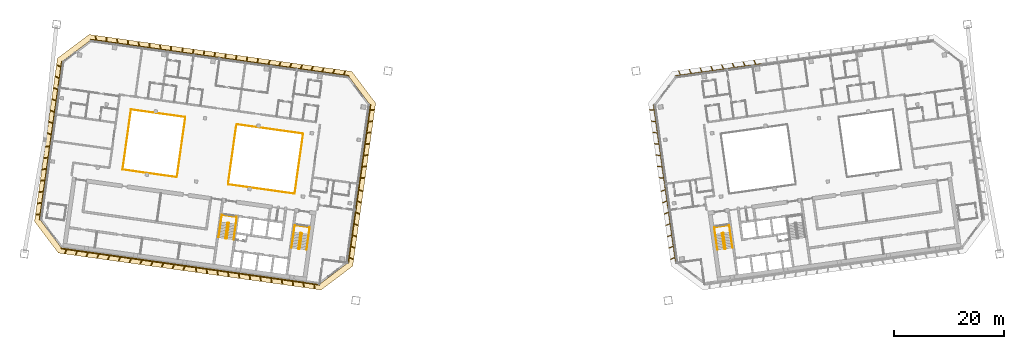
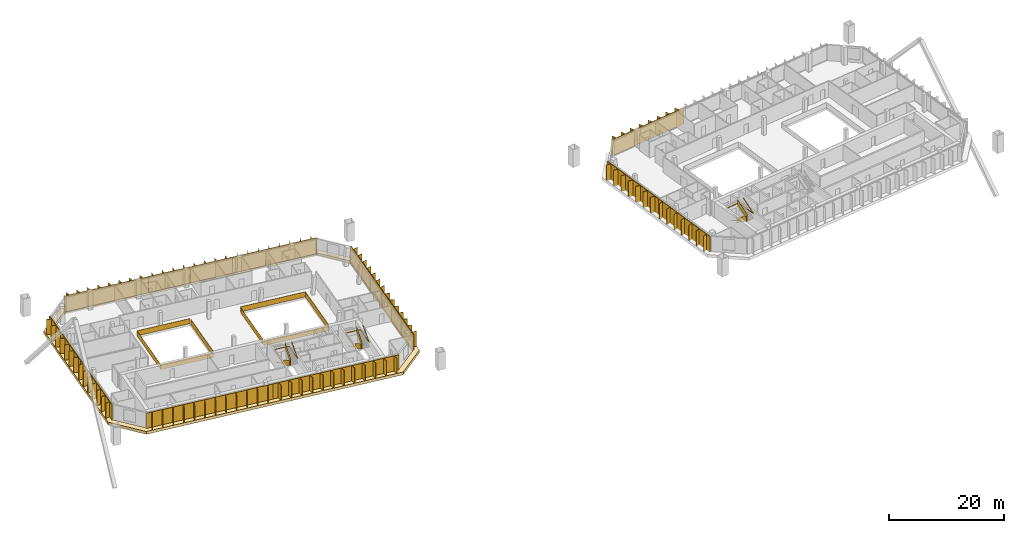
# One storey, part 22 of 23: 12 shading devices, 10 railings, 1 covering.
"""IFC4 building model written with IfcOpenShell, lengths in metres."""

from ifc_helpers import new_model, si_unit, direction, frame, origin, origin_2d, place, context, subcontext, project, spatial, polyline, rectangle, outline, extrude, material, layer, layer_set, type_object, element, save


model = new_model("IFC4")

# Units and contexts
model_context = context("Model", 3, precision=1e-05, world=origin(), true_north=direction((0.0, 1.0)))
body_context = subcontext(model_context, "Body", "Model", "MODEL_VIEW")
ifc_project = project(units=[si_unit("LENGTHUNIT", "METRE"), si_unit("AREAUNIT", "SQUARE_METRE"), si_unit("VOLUMEUNIT", "CUBIC_METRE"), si_unit("PLANEANGLEUNIT", "RADIAN"), si_unit("MASSUNIT", "GRAM", prefix="KILO")], contexts=[model_context])

# Site, building, storey
site_placement = place(None, origin())
site = spatial("IfcSite", under=ifc_project, at=site_placement, CompositionType="ELEMENT")
building_placement = place(site_placement, origin())
building = spatial("IfcBuilding", under=site, at=building_placement, Name="Mirante Cascada Hotel Towers", CompositionType="ELEMENT")
storey_placement = place(building_placement, frame((0.0, 0.0, 195.4)))
storey = spatial("IfcBuildingStorey", under=building, at=storey_placement, Name="L46", CompositionType="ELEMENT", Elevation=195.4)

# Railings
ifc_material_1 = material(Name="Toughened glass with stainless steel handrail", Category="steel")
railing_type_1 = type_object("IfcRailingType", Name="Atrium guard 1100 glass balustrade", PredefinedType="GUARDRAIL", material=ifc_material_1)
railing_1_placement = place(storey_placement, frame((-49.889, 8.4699, 0.0)))
element("IfcRailing", 1, at=railing_1_placement, inside=storey, type_object=railing_type_1, Name="GUARD 1-L46-1", PredefinedType="GUARDRAIL", context=body_context, shape_type="SweptSolid", body=[
    extrude(rectangle(XDim=0.048, YDim=0.048, at=origin_2d()), frame((0.0, 0.0, 1.076), z_axis=(0.9902682, -0.1391722, 0.0), x_axis=(0.1391722, 0.9902682, 0.0)), (0.0, 0.0, 1.0), 12.1526),
    extrude(rectangle(XDim=0.02, YDim=1.052, at=origin_2d()), frame((0.0, 0.0, 0.526), z_axis=(0.9902682, -0.1391722, 0.0), x_axis=(0.1391722, 0.9902682, 0.0)), (0.0, 0.0, 1.0), 12.1526),
    extrude(rectangle(XDim=0.048, YDim=0.048, at=origin_2d()), frame((12.0343, -1.6913, 1.076), z_axis=(-0.1391721, -0.9902682, 0.0), x_axis=(0.9902682, -0.1391721, 0.0)), (0.0, 0.0, 1.0), 11.0001),
    extrude(rectangle(XDim=0.02, YDim=1.052, at=origin_2d()), frame((12.0343, -1.6913, 0.526), z_axis=(-0.1391721, -0.9902682, 0.0), x_axis=(0.9902682, -0.1391721, 0.0)), (0.0, 0.0, 1.0), 11.0001),
    extrude(rectangle(XDim=0.048, YDim=0.048, at=origin_2d()), frame((10.5034, -12.5843, 1.076), z_axis=(-0.9902671, 0.1391803, 0.0), x_axis=(-0.1391803, -0.9902671, 0.0)), (0.0, 0.0, 1.0), 12.1526),
    extrude(rectangle(XDim=0.02, YDim=1.052, at=origin_2d()), frame((10.5034, -12.5843, 0.526), z_axis=(-0.9902671, 0.1391803, 0.0), x_axis=(-0.1391803, -0.9902671, 0.0)), (0.0, 0.0, 1.0), 12.1526),
])
railing_2_placement = place(storey_placement, frame((-60.7771, -1.108, 0.0)))
element("IfcRailing", 2, at=railing_2_placement, inside=storey, type_object=railing_type_1, Name="GUARD 1-L46-2", PredefinedType="GUARDRAIL", context=body_context, shape_type="SweptSolid", body=[
    extrude(rectangle(XDim=0.048, YDim=0.048, at=origin_2d()), frame((0.0, 0.0, 1.076), z_axis=(-0.9902676, 0.1391763, 0.0), x_axis=(-0.1391763, -0.9902676, 0.0)), (0.0, 0.0, 1.0), 9.8982),
    extrude(rectangle(XDim=0.02, YDim=1.052, at=origin_2d()), frame((0.0, 0.0, 0.526), z_axis=(-0.9902676, 0.1391763, 0.0), x_axis=(-0.1391763, -0.9902676, 0.0)), (0.0, 0.0, 1.0), 9.8982),
    extrude(rectangle(XDim=0.048, YDim=0.048, at=origin_2d()), frame((-9.8019, 1.3776, 1.076), z_axis=(0.1391733, 0.990268, 0.0), x_axis=(-0.990268, 0.1391733, 0.0)), (0.0, 0.0, 1.0), 11.0),
    extrude(rectangle(XDim=0.02, YDim=1.052, at=origin_2d()), frame((-9.8019, 1.3776, 0.526), z_axis=(0.1391733, 0.990268, 0.0), x_axis=(-0.990268, 0.1391733, 0.0)), (0.0, 0.0, 1.0), 11.0),
    extrude(rectangle(XDim=0.048, YDim=0.048, at=origin_2d()), frame((-8.271, 12.2705, 1.076), z_axis=(0.990269, -0.1391664, 0.0), x_axis=(0.1391664, 0.990269, 0.0)), (0.0, 0.0, 1.0), 9.8982),
    extrude(rectangle(XDim=0.02, YDim=1.052, at=origin_2d()), frame((-8.271, 12.2705, 0.526), z_axis=(0.990269, -0.1391664, 0.0), x_axis=(0.1391664, 0.990269, 0.0)), (0.0, 0.0, 1.0), 9.8982),
])
railing_3_placement = place(storey_placement, frame((-60.6874, -0.822, 0.0)))
element("IfcRailing", 3, at=railing_3_placement, inside=storey, type_object=railing_type_1, Name="GUARD 1-L46-3", PredefinedType="GUARDRAIL", context=body_context, shape_type="SweptSolid", body=[
    extrude(rectangle(XDim=0.048, YDim=0.048, at=origin_2d()), frame((0.0, 0.0, 1.076), z_axis=(0.1391721, 0.9902682, 0.0), x_axis=(-0.9902682, 0.1391721, 0.0)), (0.0, 0.0, 1.0), 10.4087),
    extrude(rectangle(XDim=0.02, YDim=1.052, at=origin_2d()), frame((0.0, 0.0, 0.526), z_axis=(0.1391721, 0.9902682, 0.0), x_axis=(-0.9902682, 0.1391721, 0.0)), (0.0, 0.0, 1.0), 10.4087),
])
railing_4_placement = place(storey_placement, frame((-49.9787, 8.184, 0.0)))
element("IfcRailing", 4, at=railing_4_placement, inside=storey, type_object=railing_type_1, Name="GUARD 1-L46-4", PredefinedType="GUARDRAIL", context=body_context, shape_type="SweptSolid", body=[
    extrude(rectangle(XDim=0.048, YDim=0.048, at=origin_2d()), frame((0.0, 0.0, 1.076), z_axis=(-0.1391708, -0.9902684, 0.0), x_axis=(0.9902684, -0.1391708, 0.0)), (0.0, 0.0, 1.0), 10.4088),
    extrude(rectangle(XDim=0.02, YDim=1.052, at=origin_2d()), frame((0.0, 0.0, 0.526), z_axis=(-0.1391708, -0.9902684, 0.0), x_axis=(0.9902684, -0.1391708, 0.0)), (0.0, 0.0, 1.0), 10.4088),
])

# Covering
ifc_material_2 = material(Name="Precast concrete C40/50 white", Category="concrete")
ifc_layer = layer(ifc_material_2, 0.6)
ifc_layer_set = layer_set([ifc_layer], Name="Precast concrete SUNSHADE band 1000x600")
covering_type = type_object("IfcCoveringType", Name="Precast concrete SUNSHADE band 1000x600", PredefinedType="CLADDING", material=ifc_layer_set)
covering_placement = place(storey_placement, frame((0.0, 0.0, -0.45)))
element("IfcCovering", 5, at=covering_placement, inside=storey, type_object=covering_type, Name="Precast concrete SUNSHADE band T1 L46", PredefinedType="CLADDING", context=body_context, shape_type="SweptSolid", body=[
    extrude(outline(polyline([(-86.5404, -9.1145), (-82.3891, 20.4236), (-76.645, 24.7521), (-29.0387, 18.0615), (-24.7102, 12.3174), (-28.8615, -17.2208), (-34.6056, -21.5493), (-82.2119, -14.8586), (-86.5404, -9.1145)]), holes=[polyline([(-25.7581, 12.0463), (-29.5881, 17.1288), (-76.374, 23.7042), (-81.4565, 19.8742), (-85.4925, -8.8435), (-81.6626, -13.926), (-34.8766, -20.5014), (-29.7942, -16.6714), (-25.7581, 12.0463)])]), origin(), (0.0, 0.0, 1.0), 0.6),
])

# Railings
ifc_material_3 = material(Name="Painted steel", Category="steel")
railing_type_2 = type_object("IfcRailingType", Name="Stair guard 1100 steel balustrade", PredefinedType="GUARDRAIL", material=ifc_material_3)
railing_5_placement = place(storey_placement, frame((-38.1178, -11.2603, 0.0)))
element("IfcRailing", 6, at=railing_5_placement, inside=storey, type_object=railing_type_2, Name="L46 ST1-A stair guard 1", PredefinedType="GUARDRAIL", context=body_context, shape_type="SweptSolid", body=[
    extrude(rectangle(XDim=0.048, YDim=0.048, at=origin_2d()), frame((0.0, 0.0, 1.076), z_axis=(-0.9903326, 0.1387133, 0.0), x_axis=(-0.1387133, -0.9903326, 0.0)), (0.0, 0.0, 1.0), 0.1499),
    extrude(rectangle(XDim=0.02, YDim=1.052, at=origin_2d()), frame((0.0, 0.0, 0.526), z_axis=(-0.9903326, 0.1387133, 0.0), x_axis=(-0.1387133, -0.9903326, 0.0)), (0.0, 0.0, 1.0), 0.1499),
    extrude(rectangle(XDim=0.048, YDim=0.048, at=origin_2d()), frame((-0.1485, 0.0208, 1.076), z_axis=(-0.7991505, -0.6011309, 0.0), x_axis=(0.6011309, -0.7991505, 0.0)), (0.0, 0.9254529, 0.3788627), 0.1866),
    extrude(rectangle(XDim=0.02, YDim=1.052, at=origin_2d()), frame((-0.1485, 0.0208, 0.526), z_axis=(-0.7991505, -0.6011309, 0.0), x_axis=(0.6011309, -0.7991505, 0.0)), (0.0, 0.9254529, 0.3788627), 0.1866),
    extrude(rectangle(XDim=0.048, YDim=0.048, at=origin_2d()), frame((-0.205, -0.0217, 1.2487), z_axis=(-0.139176, -0.9902677, 0.0), x_axis=(0.9902677, -0.139176, 0.0)), (0.0, 0.5250212, 0.8510891), 3.29),
    extrude(rectangle(XDim=0.02, YDim=1.052, at=origin_2d()), frame((-0.205, -0.0217, 0.6987), z_axis=(-0.139176, -0.9902677, 0.0), x_axis=(0.9902677, -0.139176, 0.0)), (0.0, 0.5250212, 0.8510891), 3.29),
    extrude(rectangle(XDim=0.048, YDim=0.048, at=origin_2d()), frame((-0.5947, -2.7945, 2.976), z_axis=(0.9270311, -0.3749843, 0.0), x_axis=(0.3749843, 0.9270311, 0.0)), (0.0, 0.0, 1.0), 0.2061),
    extrude(rectangle(XDim=0.02, YDim=1.052, at=origin_2d()), frame((-0.5947, -2.7945, 2.426), z_axis=(0.9270311, -0.3749843, 0.0), x_axis=(0.3749843, 0.9270311, 0.0)), (0.0, 0.0, 1.0), 0.2061),
    extrude(rectangle(XDim=0.048, YDim=0.048, at=origin_2d()), frame((-0.4036, -2.8718, 2.976), z_axis=(-0.9902408, 0.1393672, 0.0), x_axis=(-0.1393672, -0.9902408, 0.0)), (0.0, 0.0, 1.0), 0.15),
    extrude(rectangle(XDim=0.02, YDim=1.052, at=origin_2d()), frame((-0.4036, -2.8718, 2.426), z_axis=(-0.9902408, 0.1393672, 0.0), x_axis=(-0.1393672, -0.9902408, 0.0)), (0.0, 0.0, 1.0), 0.15),
    extrude(rectangle(XDim=0.048, YDim=0.048, at=origin_2d()), frame((-0.5521, -2.8509, 2.976), z_axis=(0.9944948, 0.1047858, 0.0), x_axis=(-0.1047858, 0.9944948, 0.0)), (0.0, 0.6422034, 0.7665343), 0.2689),
    extrude(rectangle(XDim=0.02, YDim=1.052, at=origin_2d()), frame((-0.5521, -2.8509, 2.426), z_axis=(0.9944948, 0.1047858, 0.0), x_axis=(-0.1047858, 0.9944948, 0.0)), (0.0, 0.6422034, 0.7665343), 0.2689),
    extrude(rectangle(XDim=0.048, YDim=0.048, at=origin_2d()), frame((-0.3471, -2.8293, 3.1487), z_axis=(0.139176, 0.9902677, 0.0), x_axis=(-0.9902677, 0.139176, 0.0)), (0.0, 0.5250212, 0.8510891), 3.29),
    extrude(rectangle(XDim=0.02, YDim=1.052, at=origin_2d()), frame((-0.3471, -2.8293, 2.5987), z_axis=(0.139176, 0.9902677, 0.0), x_axis=(-0.9902677, 0.139176, 0.0)), (0.0, 0.5250212, 0.8510891), 3.29),
])
railing_6_placement = place(storey_placement, frame((-51.3379, -9.4024, 0.0)))
element("IfcRailing", 7, at=railing_6_placement, inside=storey, type_object=railing_type_2, Name="L46 ST1-B stair guard 1", PredefinedType="GUARDRAIL", context=body_context, shape_type="SweptSolid", body=[
    extrude(rectangle(XDim=0.048, YDim=0.048, at=origin_2d()), frame((0.0, 0.0, 1.076), z_axis=(-0.9902408, 0.1393672, 0.0), x_axis=(-0.1393672, -0.9902408, 0.0)), (0.0, 0.0, 1.0), 0.15),
    extrude(rectangle(XDim=0.02, YDim=1.052, at=origin_2d()), frame((0.0, 0.0, 0.526), z_axis=(-0.9902408, 0.1393672, 0.0), x_axis=(-0.1393672, -0.9902408, 0.0)), (0.0, 0.0, 1.0), 0.15),
    extrude(rectangle(XDim=0.048, YDim=0.048, at=origin_2d()), frame((-0.1485, 0.0209, 1.076), z_axis=(-0.7984711, -0.6020331, 0.0), x_axis=(0.6020331, -0.7984711, 0.0)), (0.0, 0.9253398, 0.3791387), 0.1866),
    extrude(rectangle(XDim=0.02, YDim=1.052, at=origin_2d()), frame((-0.1485, 0.0209, 0.526), z_axis=(-0.7984711, -0.6020331, 0.0), x_axis=(0.6020331, -0.7984711, 0.0)), (0.0, 0.9253398, 0.3791387), 0.1866),
    extrude(rectangle(XDim=0.048, YDim=0.048, at=origin_2d()), frame((-0.205, -0.0217, 1.2487), z_axis=(-0.139181, -0.990267, 0.0), x_axis=(0.990267, -0.139181, 0.0)), (0.0, 0.5250347, 0.8510808), 3.2899),
    extrude(rectangle(XDim=0.02, YDim=1.052, at=origin_2d()), frame((-0.205, -0.0217, 0.6987), z_axis=(-0.139181, -0.990267, 0.0), x_axis=(0.990267, -0.139181, 0.0)), (0.0, 0.5250347, 0.8510808), 3.2899),
    extrude(rectangle(XDim=0.048, YDim=0.048, at=origin_2d()), frame((-0.5947, -2.7944, 2.976), z_axis=(0.9268624, -0.3754011, 0.0), x_axis=(0.3754011, 0.9268624, 0.0)), (0.0, 0.0, 1.0), 0.2062),
    extrude(rectangle(XDim=0.02, YDim=1.052, at=origin_2d()), frame((-0.5947, -2.7944, 2.426), z_axis=(0.9268624, -0.3754011, 0.0), x_axis=(0.3754011, 0.9268624, 0.0)), (0.0, 0.0, 1.0), 0.2062),
    extrude(rectangle(XDim=0.048, YDim=0.048, at=origin_2d()), frame((-0.4036, -2.8718, 2.976), z_axis=(-0.9902408, 0.1393672, 0.0), x_axis=(-0.1393672, -0.9902408, 0.0)), (0.0, 0.0, 1.0), 0.15),
    extrude(rectangle(XDim=0.02, YDim=1.052, at=origin_2d()), frame((-0.4036, -2.8718, 2.426), z_axis=(-0.9902408, 0.1393672, 0.0), x_axis=(-0.1393672, -0.9902408, 0.0)), (0.0, 0.0, 1.0), 0.15),
    extrude(rectangle(XDim=0.048, YDim=0.048, at=origin_2d()), frame((-0.5521, -2.8509, 2.976), z_axis=(0.9944441, 0.1052656, 0.0), x_axis=(-0.1052656, 0.9944441, 0.0)), (0.0, 0.6421842, 0.7665504), 0.2689),
    extrude(rectangle(XDim=0.02, YDim=1.052, at=origin_2d()), frame((-0.5521, -2.8509, 2.426), z_axis=(0.9944441, 0.1052656, 0.0), x_axis=(-0.1052656, 0.9944441, 0.0)), (0.0, 0.6421842, 0.7665504), 0.2689),
    extrude(rectangle(XDim=0.048, YDim=0.048, at=origin_2d()), frame((-0.3471, -2.8292, 3.1487), z_axis=(0.139181, 0.990267, 0.0), x_axis=(-0.990267, 0.139181, 0.0)), (0.0, 0.5250347, 0.8510808), 3.2899),
    extrude(rectangle(XDim=0.02, YDim=1.052, at=origin_2d()), frame((-0.3471, -2.8292, 2.5987), z_axis=(0.139181, 0.990267, 0.0), x_axis=(-0.990267, 0.139181, 0.0)), (0.0, 0.5250347, 0.8510808), 3.2899),
])
railing_7_placement = place(storey_placement, frame((38.2663, -11.2395, 0.0)))
element("IfcRailing", 8, at=railing_7_placement, inside=storey, type_object=railing_type_2, Name="L46 ST2-A stair guard 1", PredefinedType="GUARDRAIL", context=body_context, shape_type="SweptSolid", body=[
    extrude(rectangle(XDim=0.048, YDim=0.048, at=origin_2d()), frame((0.0, 0.0, 1.076), z_axis=(-0.9903326, -0.1387133, 0.0), x_axis=(0.1387133, -0.9903326, 0.0)), (0.0, 0.0, 1.0), 0.1499),
    extrude(rectangle(XDim=0.02, YDim=1.052, at=origin_2d()), frame((0.0, 0.0, 0.526), z_axis=(-0.9903326, -0.1387133, 0.0), x_axis=(0.1387133, -0.9903326, 0.0)), (0.0, 0.0, 1.0), 0.1499),
    extrude(rectangle(XDim=0.048, YDim=0.048, at=origin_2d()), frame((-0.1485, -0.0208, 1.076), z_axis=(-0.6020331, -0.7984711, 0.0), x_axis=(0.7984711, -0.6020331, 0.0)), (0.0, 0.9253398, 0.3791387), 0.1866),
    extrude(rectangle(XDim=0.02, YDim=1.052, at=origin_2d()), frame((-0.1485, -0.0208, 0.526), z_axis=(-0.6020331, -0.7984711, 0.0), x_axis=(0.7984711, -0.6020331, 0.0)), (0.0, 0.9253398, 0.3791387), 0.1866),
    extrude(rectangle(XDim=0.048, YDim=0.048, at=origin_2d()), frame((-0.1911, -0.0773, 1.2487), z_axis=(0.139176, -0.9902677, 0.0), x_axis=(0.9902677, 0.139176, 0.0)), (0.0, 0.5250212, 0.8510891), 3.29),
    extrude(rectangle(XDim=0.02, YDim=1.052, at=origin_2d()), frame((-0.1911, -0.0773, 0.6987), z_axis=(0.139176, -0.9902677, 0.0), x_axis=(0.9902677, 0.139176, 0.0)), (0.0, 0.5250212, 0.8510891), 3.29),
    extrude(rectangle(XDim=0.048, YDim=0.048, at=origin_2d()), frame((0.1986, -2.8501, 2.976), z_axis=(0.9944948, -0.1047858, 0.0), x_axis=(0.1047858, 0.9944948, 0.0)), (0.0, 0.0, 1.0), 0.2061),
    extrude(rectangle(XDim=0.02, YDim=1.052, at=origin_2d()), frame((0.1986, -2.8501, 2.426), z_axis=(0.9944948, -0.1047858, 0.0), x_axis=(0.1047858, 0.9944948, 0.0)), (0.0, 0.0, 1.0), 0.2061),
    extrude(rectangle(XDim=0.048, YDim=0.048, at=origin_2d()), frame((0.4036, -2.8717, 2.976), z_axis=(-0.9902408, -0.1393672, 0.0), x_axis=(0.1393672, -0.9902408, 0.0)), (0.0, 0.0, 1.0), 0.15),
    extrude(rectangle(XDim=0.02, YDim=1.052, at=origin_2d()), frame((0.4036, -2.8717, 2.426), z_axis=(-0.9902408, -0.1393672, 0.0), x_axis=(0.1393672, -0.9902408, 0.0)), (0.0, 0.0, 1.0), 0.15),
    extrude(rectangle(XDim=0.048, YDim=0.048, at=origin_2d()), frame((0.2551, -2.8926, 2.976), z_axis=(0.9270311, 0.3749843, 0.0), x_axis=(-0.3749843, 0.9270311, 0.0)), (0.0, 0.6421903, 0.7665452), 0.2689),
    extrude(rectangle(XDim=0.02, YDim=1.052, at=origin_2d()), frame((0.2551, -2.8926, 2.426), z_axis=(0.9270311, 0.3749843, 0.0), x_axis=(-0.3749843, 0.9270311, 0.0)), (0.0, 0.6421903, 0.7665452), 0.2689),
    extrude(rectangle(XDim=0.048, YDim=0.048, at=origin_2d()), frame((0.4462, -2.8153, 3.1487), z_axis=(-0.139176, 0.9902677, 0.0), x_axis=(-0.9902677, -0.139176, 0.0)), (0.0, 0.5250212, 0.8510891), 3.29),
    extrude(rectangle(XDim=0.02, YDim=1.052, at=origin_2d()), frame((0.4462, -2.8153, 2.5987), z_axis=(-0.139176, 0.9902677, 0.0), x_axis=(-0.9902677, -0.139176, 0.0)), (0.0, 0.5250212, 0.8510891), 3.29),
])
ifc_material_4 = material(Name="Painted steel", Category="steel")
railing_type_3 = type_object("IfcRailingType", Name="Stair handrail 900 steel tube", PredefinedType="HANDRAIL", material=ifc_material_4)
railing_8_placement = place(storey_placement, frame((-39.5606, -11.1081, 0.1727)))
element("IfcRailing", 9, at=railing_8_placement, inside=storey, type_object=railing_type_3, Name="L46 ST1-A stair handrail 1", PredefinedType="HANDRAIL", context=body_context, shape_type="SweptSolid", body=[
    extrude(rectangle(XDim=0.048, YDim=0.048, at=origin_2d()), frame((0.0, 0.0, 0.876), z_axis=(-0.139181, -0.990267, 0.0), x_axis=(0.990267, -0.139181, 0.0)), (0.0, 0.5250347, 0.8510808), 3.2899),
    extrude(rectangle(XDim=0.048, YDim=0.048, at=origin_2d()), frame((-0.3897, -2.7727, 2.6033), z_axis=(0.1391707, 0.9902684, 0.0), x_axis=(-0.9902684, 0.1391707, 0.0)), (0.0, 0.0420846, 0.999114), 4.1036),
    extrude(rectangle(XDim=0.048, YDim=0.048, at=origin_2d()), frame((0.1809, 1.2874, 2.776), z_axis=(0.9902691, -0.1391657, 0.0), x_axis=(0.1391657, 0.9902691, 0.0)), (0.0, 0.0, 1.0), 2.75),
    extrude(rectangle(XDim=0.048, YDim=0.048, at=origin_2d()), frame((2.9041, 0.9047, 2.776), z_axis=(-0.1391707, -0.9902684, 0.0), x_axis=(0.9902684, -0.1391707, 0.0)), (0.0, 0.0, 1.0), 4.1),
    extrude(rectangle(XDim=0.048, YDim=0.048, at=origin_2d()), frame((2.3335, -3.1554, 2.776), z_axis=(0.139181, 0.990267, 0.0), x_axis=(-0.990267, 0.139181, 0.0)), (0.0, 0.5250347, 0.8510808), 3.2899),
])
railing_9_placement = place(storey_placement, frame((-52.7807, -9.2501, 0.1727)))
element("IfcRailing", 10, at=railing_9_placement, inside=storey, type_object=railing_type_3, Name="L46 ST1-B stair handrail 1", PredefinedType="HANDRAIL", context=body_context, shape_type="SweptSolid", body=[
    extrude(rectangle(XDim=0.048, YDim=0.048, at=origin_2d()), frame((0.0, 0.0, 0.876), z_axis=(-0.139181, -0.990267, 0.0), x_axis=(0.990267, -0.139181, 0.0)), (0.0, 0.5250347, 0.8510808), 3.2899),
    extrude(rectangle(XDim=0.048, YDim=0.048, at=origin_2d()), frame((-0.3897, -2.7727, 2.6033), z_axis=(0.1391707, 0.9902684, 0.0), x_axis=(-0.9902684, 0.1391707, 0.0)), (0.0, 0.0420846, 0.999114), 4.1036),
    extrude(rectangle(XDim=0.048, YDim=0.048, at=origin_2d()), frame((0.1809, 1.2874, 2.776), z_axis=(0.9902641, -0.1392013, 0.0), x_axis=(0.1392013, 0.9902641, 0.0)), (0.0, 0.0, 1.0), 2.75),
    extrude(rectangle(XDim=0.048, YDim=0.048, at=origin_2d()), frame((2.9041, 0.9046, 2.776), z_axis=(-0.1391707, -0.9902684, 0.0), x_axis=(0.9902684, -0.1391707, 0.0)), (0.0, 0.0, 1.0), 4.1),
    extrude(rectangle(XDim=0.048, YDim=0.048, at=origin_2d()), frame((2.3335, -3.1555, 2.776), z_axis=(0.139176, 0.9902677, 0.0), x_axis=(-0.9902677, 0.139176, 0.0)), (0.0, 0.5250212, 0.8510891), 3.29),
])
railing_10_placement = place(storey_placement, frame((36.8374, -11.4908, 0.1727)))
element("IfcRailing", 11, at=railing_10_placement, inside=storey, type_object=railing_type_3, Name="L46 ST2-A stair handrail 1", PredefinedType="HANDRAIL", context=body_context, shape_type="SweptSolid", body=[
    extrude(rectangle(XDim=0.048, YDim=0.048, at=origin_2d()), frame((0.0, 0.0, 0.876), z_axis=(0.139181, -0.990267, 0.0), x_axis=(0.990267, 0.139181, 0.0)), (0.0, 0.5250347, 0.8510808), 3.2899),
    extrude(rectangle(XDim=0.048, YDim=0.048, at=origin_2d()), frame((0.3897, -2.7727, 2.6033), z_axis=(-0.1391707, 0.9902684, 0.0), x_axis=(-0.9902684, -0.1391707, 0.0)), (0.0, 0.0420846, 0.999114), 4.1036),
    extrude(rectangle(XDim=0.048, YDim=0.048, at=origin_2d()), frame((-0.1809, 1.2874, 2.776), z_axis=(0.9902691, 0.1391657, 0.0), x_axis=(-0.1391657, 0.9902691, 0.0)), (0.0, 0.0, 1.0), 2.75),
    extrude(rectangle(XDim=0.048, YDim=0.048, at=origin_2d()), frame((2.5423, 1.6701, 2.776), z_axis=(0.1391707, -0.9902684, 0.0), x_axis=(0.9902684, 0.1391707, 0.0)), (0.0, 0.0, 1.0), 4.1),
    extrude(rectangle(XDim=0.048, YDim=0.048, at=origin_2d()), frame((3.1129, -2.39, 2.776), z_axis=(-0.139181, 0.990267, 0.0), x_axis=(-0.990267, -0.139181, 0.0)), (0.0, 0.5250347, 0.8510808), 3.2899),
])

# Shading devices
ifc_material_5 = material(Name="White precast concrete C50/60 fin", Category="concrete")
shading_device_type = type_object("IfcShadingDeviceType", Name="Vertical fin set 4500x900", PredefinedType="USERDEFINED", material=ifc_material_5)
shading_device_1_placement = place(storey_placement, origin())
element("IfcShadingDevice", 12, at=shading_device_1_placement, inside=storey, type_object=shading_device_type, Name="FIN T1 L46 front 1", ObjectType="FIN", PredefinedType="USERDEFINED", context=body_context, shape_type="SweptSolid", body=[
    extrude(outline(polyline([(-61.7048, 21.794), (-60.7578, 21.6609), (-60.7787, 21.5124), (-76.374, 23.7042), (-76.3531, 23.8527), (-75.4327, 23.7233), (-75.5347, 24.5546), (-75.4553, 24.5644), (-75.3507, 23.7118), (-73.4833, 23.4494), (-73.5853, 24.2806), (-73.5059, 24.2904), (-73.4012, 23.4378), (-71.5338, 23.1754), (-71.6359, 24.0067), (-71.5565, 24.0164), (-71.4518, 23.1639), (-69.5844, 22.9014), (-69.6865, 23.7327), (-69.6071, 23.7425), (-69.5024, 22.8899), (-67.635, 22.6275), (-67.7371, 23.4587), (-67.6577, 23.4685), (-67.553, 22.6159), (-65.6856, 22.3535), (-65.7877, 23.1848), (-65.7083, 23.1945), (-65.6036, 22.342), (-63.7362, 22.0795), (-63.8383, 22.9108), (-63.7589, 22.9205), (-63.6542, 22.068), (-61.7868, 21.8055), (-61.8888, 22.6368), (-61.8094, 22.6466), (-61.7048, 21.794)])), origin(), (0.0, 0.0, 1.0), 3.35),
])
shading_device_2_placement = place(storey_placement, origin())
element("IfcShadingDevice", 13, at=shading_device_2_placement, inside=storey, type_object=shading_device_type, Name="FIN T1 L46 front 2", ObjectType="FIN", PredefinedType="USERDEFINED", context=body_context, shape_type="SweptSolid", body=[
    extrude(outline(polyline([(-46.0976, 19.6006), (-45.1625, 19.4691), (-45.1834, 19.3206), (-60.7787, 21.5124), (-60.7578, 21.6609), (-59.8227, 21.5295), (-59.7044, 22.3712), (-59.6252, 22.3601), (-59.7435, 21.5184), (-57.8733, 21.2555), (-57.755, 22.0973), (-57.6758, 22.0861), (-57.7941, 21.2444), (-55.9239, 20.9816), (-55.8056, 21.8233), (-55.7264, 21.8122), (-55.8447, 20.9704), (-53.9745, 20.7076), (-53.8562, 21.5493), (-53.7769, 21.5382), (-53.8952, 20.6965), (-52.025, 20.4336), (-51.9068, 21.2753), (-51.8275, 21.2642), (-51.9458, 20.4225), (-50.0756, 20.1596), (-49.9573, 21.0014), (-49.8781, 20.9902), (-49.9964, 20.1485), (-48.1262, 19.8857), (-48.0079, 20.7274), (-47.9287, 20.7163), (-48.047, 19.8745), (-46.1768, 19.6117), (-46.0585, 20.4534), (-45.9793, 20.4423), (-46.0976, 19.6006)])), origin(), (0.0, 0.0, 1.0), 3.35),
])
shading_device_3_placement = place(storey_placement, origin())
element("IfcShadingDevice", 14, at=shading_device_3_placement, inside=storey, type_object=shading_device_type, Name="FIN T1 L46 front 3", ObjectType="FIN", PredefinedType="USERDEFINED", context=body_context, shape_type="SweptSolid", body=[
    extrude(outline(polyline([(-30.4876, 17.4067), (-29.5672, 17.2774), (-29.5881, 17.1288), (-45.1834, 19.3206), (-45.1625, 19.4691), (-44.2155, 19.3361), (-43.8799, 20.1267), (-43.8063, 20.0955), (-44.1335, 19.3245), (-42.2661, 19.0621), (-41.9305, 19.8528), (-41.8569, 19.8215), (-42.1841, 19.0506), (-40.3167, 18.7881), (-39.9811, 19.5788), (-39.9074, 19.5475), (-40.2347, 18.7766), (-38.3673, 18.5141), (-38.0317, 19.3048), (-37.958, 19.2736), (-38.2853, 18.5026), (-36.4179, 18.2402), (-36.0823, 19.0308), (-36.0086, 18.9996), (-36.3359, 18.2286), (-34.4685, 17.9662), (-34.1328, 18.7569), (-34.0592, 18.7256), (-34.3864, 17.9547), (-32.519, 17.6922), (-32.1834, 18.4829), (-32.1098, 18.4516), (-32.437, 17.6807), (-30.5696, 17.4183), (-30.234, 18.2089), (-30.1604, 18.1777), (-30.4876, 17.4067)])), origin(), (0.0, 0.0, 1.0), 3.35),
])
shading_device_4_placement = place(storey_placement, origin())
element("IfcShadingDevice", 15, at=shading_device_4_placement, inside=storey, type_object=shading_device_type, Name="FIN T1 L46 inner 1", ObjectType="FIN", PredefinedType="USERDEFINED", context=body_context, shape_type="SweptSolid", body=[
    extrude(outline(polyline([(-27.4874, -1.3355), (-27.6276, -2.3334), (-27.7761, -2.3125), (-25.7581, 12.0463), (-25.6096, 12.0255), (-25.7461, 11.0541), (-24.9148, 11.1562), (-24.9051, 11.0768), (-25.7576, 10.9721), (-26.0344, 9.0028), (-25.2031, 9.1049), (-25.1934, 9.0255), (-26.0459, 8.9208), (-26.3227, 6.9516), (-25.4914, 7.0536), (-25.4817, 6.9742), (-26.3342, 6.8696), (-26.611, 4.9003), (-25.7797, 5.0024), (-25.7699, 4.923), (-26.6225, 4.8183), (-26.8993, 2.849), (-26.068, 2.9511), (-26.0582, 2.8717), (-26.9108, 2.767), (-27.1875, 0.7978), (-26.3563, 0.8998), (-26.3465, 0.8204), (-27.1991, 0.7157), (-27.4758, -1.2535), (-26.6446, -1.1514), (-26.6348, -1.2308), (-27.4874, -1.3355)])), origin(), (0.0, 0.0, 1.0), 3.35),
])
shading_device_5_placement = place(storey_placement, origin())
element("IfcShadingDevice", 16, at=shading_device_5_placement, inside=storey, type_object=shading_device_type, Name="FIN T1 L46 inner 2", ObjectType="FIN", PredefinedType="USERDEFINED", context=body_context, shape_type="SweptSolid", body=[
    extrude(outline(polyline([(-29.5091, -15.7209), (-29.6456, -16.6923), (-29.7942, -16.6714), (-27.7761, -2.3125), (-27.6276, -2.3334), (-27.7678, -3.3313), (-26.9772, -3.6669), (-27.0084, -3.7406), (-27.7794, -3.4133), (-28.0561, -5.3826), (-27.2655, -5.7182), (-27.2967, -5.7918), (-28.0677, -5.4646), (-28.3444, -7.4339), (-27.5538, -7.7695), (-27.585, -7.8431), (-28.3559, -7.5159), (-28.6327, -9.4851), (-27.842, -9.8207), (-27.8733, -9.8944), (-28.6442, -9.5671), (-28.921, -11.5364), (-28.1303, -11.872), (-28.1616, -11.9457), (-28.9325, -11.6184), (-29.2093, -13.5877), (-28.4186, -13.9233), (-28.4499, -13.9969), (-29.2208, -13.6697), (-29.4976, -15.6389), (-28.7069, -15.9746), (-28.7382, -16.0482), (-29.5091, -15.7209)])), origin(), (0.0, 0.0, 1.0), 3.35),
])
shading_device_6_placement = place(storey_placement, origin())
element("IfcShadingDevice", 17, at=shading_device_6_placement, inside=storey, type_object=shading_device_type, Name="FIN T1 L46 outer 1", ObjectType="FIN", PredefinedType="USERDEFINED", context=body_context, shape_type="SweptSolid", body=[
    extrude(outline(polyline([(-85.493, -7.7693), (-85.2162, -5.8), (-86.0475, -5.9021), (-86.0572, -5.8227), (-85.2047, -5.718), (-84.9279, -3.7488), (-85.7592, -3.8508), (-85.769, -3.7714), (-84.9164, -3.6667), (-84.6396, -1.6975), (-85.4709, -1.7996), (-85.4807, -1.7202), (-84.6281, -1.6155), (-84.3514, 0.3538), (-85.1826, 0.2517), (-85.1924, 0.3311), (-84.3398, 0.4358), (-84.0631, 2.405), (-84.8943, 2.303), (-84.9041, 2.3824), (-84.0515, 2.4871), (-83.7748, 4.4563), (-84.6061, 4.3542), (-84.6158, 4.4336), (-83.7633, 4.5383), (-83.623, 5.5362), (-83.4745, 5.5153), (-85.4925, -8.8435), (-85.641, -8.8227), (-85.5045, -7.8513), (-86.3358, -7.9534), (-86.3455, -7.874), (-85.493, -7.7693)])), origin(), (0.0, 0.0, 1.0), 3.35),
])
shading_device_7_placement = place(storey_placement, origin())
element("IfcShadingDevice", 18, at=shading_device_7_placement, inside=storey, type_object=shading_device_type, Name="FIN T1 L46 outer 2", ObjectType="FIN", PredefinedType="USERDEFINED", context=body_context, shape_type="SweptSolid", body=[
    extrude(outline(polyline([(-83.4712, 6.6161), (-83.1945, 8.5854), (-83.9852, 8.921), (-83.9539, 8.9946), (-83.183, 8.6674), (-82.9062, 10.6367), (-83.6969, 10.9723), (-83.6656, 11.0459), (-82.8947, 10.7187), (-82.6179, 12.6879), (-83.4086, 13.0235), (-83.3773, 13.0972), (-82.6064, 12.7699), (-82.3296, 14.7392), (-83.1203, 15.0748), (-83.089, 15.1485), (-82.3181, 14.8212), (-82.0413, 16.7905), (-82.832, 17.1261), (-82.8007, 17.1997), (-82.0298, 16.8725), (-81.753, 18.8417), (-82.5437, 19.1774), (-82.5125, 19.251), (-81.7415, 18.9238), (-81.605, 19.8951), (-81.4565, 19.8742), (-83.4745, 5.5153), (-83.623, 5.5362), (-83.4828, 6.5341), (-84.2734, 6.8697), (-84.2422, 6.9434), (-83.4712, 6.6161)])), origin(), (0.0, 0.0, 1.0), 3.35),
])
shading_device_8_placement = place(storey_placement, origin())
element("IfcShadingDevice", 19, at=shading_device_8_placement, inside=storey, type_object=shading_device_type, Name="FIN T1 L46 rear 1", ObjectType="FIN", PredefinedType="USERDEFINED", context=body_context, shape_type="SweptSolid", body=[
    extrude(outline(polyline([(-47.5964, -18.8652), (-49.4638, -18.6027), (-49.3618, -19.434), (-49.4412, -19.4438), (-49.5459, -18.5912), (-51.4133, -18.3288), (-51.3112, -19.16), (-51.3906, -19.1698), (-51.4953, -18.3172), (-53.3627, -18.0548), (-53.2606, -18.8861), (-53.34, -18.8958), (-53.4447, -18.0433), (-55.3121, -17.7808), (-55.21, -18.6121), (-55.2894, -18.6218), (-55.3941, -17.7693), (-57.2615, -17.5068), (-57.1594, -18.3381), (-57.2388, -18.3479), (-57.3435, -17.4953), (-58.2905, -17.3622), (-58.2696, -17.2137), (-34.8766, -20.5014), (-34.8975, -20.6499), (-35.8179, -20.5205), (-35.7159, -21.3518), (-35.7953, -21.3616), (-35.9, -20.509), (-37.7674, -20.2466), (-37.6653, -21.0778), (-37.7447, -21.0876), (-37.8494, -20.235), (-39.7168, -19.9726), (-39.6147, -20.8039), (-39.6941, -20.8136), (-39.7988, -19.9611), (-41.6662, -19.6986), (-41.5641, -20.5299), (-41.6435, -20.5396), (-41.7482, -19.6871), (-43.6156, -19.4247), (-43.5135, -20.2559), (-43.5929, -20.2657), (-43.6976, -19.4131), (-45.565, -19.1507), (-45.4629, -19.982), (-45.5423, -19.9917), (-45.647, -19.1392), (-47.5144, -18.8767), (-47.4124, -19.708), (-47.4918, -19.7177), (-47.5964, -18.8652)])), origin(), (0.0, 0.0, 1.0), 3.35),
])
shading_device_9_placement = place(storey_placement, origin())
element("IfcShadingDevice", 20, at=shading_device_9_placement, inside=storey, type_object=shading_device_type, Name="FIN T1 L46 rear 2", ObjectType="FIN", PredefinedType="USERDEFINED", context=body_context, shape_type="SweptSolid", body=[
    extrude(outline(polyline([(-71.0159, -15.5738), (-72.8833, -15.3113), (-73.219, -16.102), (-73.2926, -16.0708), (-72.9653, -15.2998), (-74.8327, -15.0374), (-75.1684, -15.828), (-75.242, -15.7968), (-74.9148, -15.0258), (-76.7822, -14.7634), (-77.1178, -15.5541), (-77.1914, -15.5228), (-76.8642, -14.7519), (-78.7316, -14.4894), (-79.0672, -15.2801), (-79.1408, -15.2488), (-78.8136, -14.4779), (-80.681, -14.2154), (-81.0166, -15.0061), (-81.0902, -14.9749), (-80.763, -14.2039), (-81.6834, -14.0746), (-81.6626, -13.926), (-58.2696, -17.2137), (-58.2905, -17.3622), (-59.2374, -17.2291), (-59.5731, -18.0198), (-59.6467, -17.9886), (-59.3195, -17.2176), (-61.1869, -16.9552), (-61.5225, -17.7458), (-61.5961, -17.7146), (-61.2689, -16.9436), (-63.1363, -16.6812), (-63.4719, -17.4719), (-63.5455, -17.4406), (-63.2183, -16.6697), (-65.0857, -16.4072), (-65.4213, -17.1979), (-65.4949, -17.1666), (-65.1677, -16.3957), (-67.0351, -16.1333), (-67.3707, -16.9239), (-67.4444, -16.8927), (-67.1171, -16.1217), (-68.9845, -15.8593), (-69.3201, -16.65), (-69.3938, -16.6187), (-69.0665, -15.8478), (-70.9339, -15.5853), (-71.2695, -16.376), (-71.3432, -16.3447), (-71.0159, -15.5738)])), origin(), (0.0, 0.0, 1.0), 3.35),
])
shading_device_10_placement = place(storey_placement, origin())
element("IfcShadingDevice", 21, at=shading_device_10_placement, inside=storey, type_object=shading_device_type, Name="FIN T2 L46 front 3", ObjectType="FIN", PredefinedType="USERDEFINED", context=body_context, shape_type="SweptSolid", body=[
    extrude(outline(polyline([(30.234, 18.2089), (30.5696, 17.4183), (32.437, 17.6807), (32.1098, 18.4516), (32.1834, 18.4829), (32.519, 17.6922), (34.3864, 17.9547), (34.0592, 18.7256), (34.1328, 18.7569), (34.4685, 17.9662), (36.3359, 18.2286), (36.0086, 18.9996), (36.0823, 19.0308), (36.4179, 18.2402), (38.2853, 18.5026), (37.958, 19.2736), (38.0317, 19.3048), (38.3673, 18.5141), (40.2347, 18.7766), (39.9074, 19.5475), (39.9811, 19.5788), (40.3167, 18.7881), (42.1841, 19.0506), (41.8569, 19.8215), (41.9305, 19.8528), (42.2661, 19.0621), (44.1335, 19.3245), (43.8063, 20.0955), (43.8799, 20.1267), (44.2155, 19.3361), (45.1625, 19.4691), (45.1834, 19.3206), (29.5881, 17.1288), (29.5672, 17.2774), (30.4876, 17.4067), (30.1604, 18.1777), (30.234, 18.2089)])), origin(), (0.0, 0.0, 1.0), 3.35),
])
shading_device_11_placement = place(storey_placement, origin())
element("IfcShadingDevice", 22, at=shading_device_11_placement, inside=storey, type_object=shading_device_type, Name="FIN T2 L46 inner 1", ObjectType="FIN", PredefinedType="USERDEFINED", context=body_context, shape_type="SweptSolid", body=[
    extrude(outline(polyline([(26.6446, -1.1514), (27.4758, -1.2535), (27.1991, 0.7157), (26.3465, 0.8204), (26.3563, 0.8998), (27.1875, 0.7978), (26.9108, 2.767), (26.0582, 2.8717), (26.068, 2.9511), (26.8993, 2.849), (26.6225, 4.8183), (25.7699, 4.923), (25.7797, 5.0024), (26.611, 4.9003), (26.3342, 6.8696), (25.4817, 6.9742), (25.4914, 7.0536), (26.3227, 6.9516), (26.0459, 8.9208), (25.1934, 9.0255), (25.2031, 9.1049), (26.0344, 9.0028), (25.7576, 10.9721), (24.9051, 11.0768), (24.9148, 11.1562), (25.7461, 11.0541), (25.6096, 12.0255), (25.7581, 12.0463), (27.7761, -2.3125), (27.6276, -2.3334), (27.4874, -1.3355), (26.6348, -1.2308), (26.6446, -1.1514)])), origin(), (0.0, 0.0, 1.0), 3.35),
])
shading_device_12_placement = place(storey_placement, origin())
element("IfcShadingDevice", 23, at=shading_device_12_placement, inside=storey, type_object=shading_device_type, Name="FIN T2 L46 inner 2", ObjectType="FIN", PredefinedType="USERDEFINED", context=body_context, shape_type="SweptSolid", body=[
    extrude(outline(polyline([(28.7069, -15.9746), (29.4976, -15.6389), (29.2208, -13.6697), (28.4499, -13.9969), (28.4186, -13.9233), (29.2093, -13.5877), (28.9325, -11.6184), (28.1616, -11.9457), (28.1303, -11.872), (28.921, -11.5364), (28.6442, -9.5671), (27.8733, -9.8944), (27.842, -9.8207), (28.6327, -9.4851), (28.3559, -7.5159), (27.585, -7.8431), (27.5538, -7.7695), (28.3444, -7.4339), (28.0677, -5.4646), (27.2967, -5.7918), (27.2655, -5.7182), (28.0561, -5.3826), (27.7794, -3.4133), (27.0084, -3.7406), (26.9772, -3.6669), (27.7678, -3.3313), (27.6276, -2.3334), (27.7761, -2.3125), (29.7942, -16.6714), (29.6456, -16.6923), (29.5091, -15.7209), (28.7382, -16.0482), (28.7069, -15.9746)])), origin(), (0.0, 0.0, 1.0), 3.35),
])

save(model, "model.ifc")
